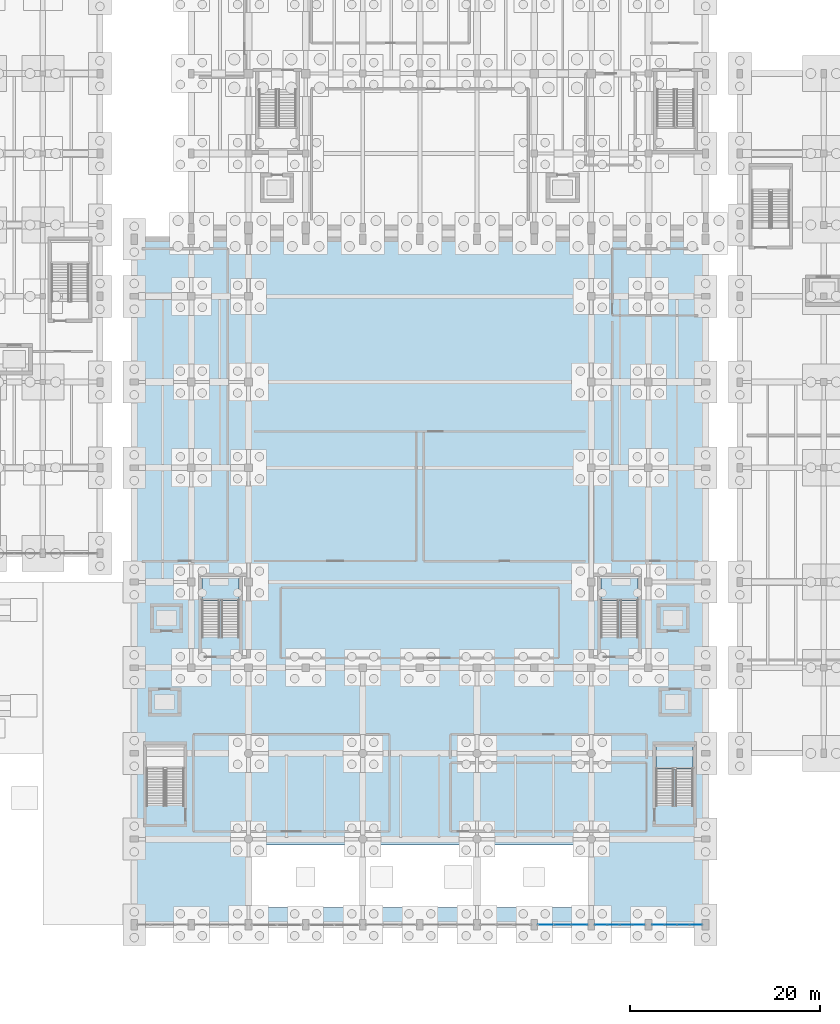
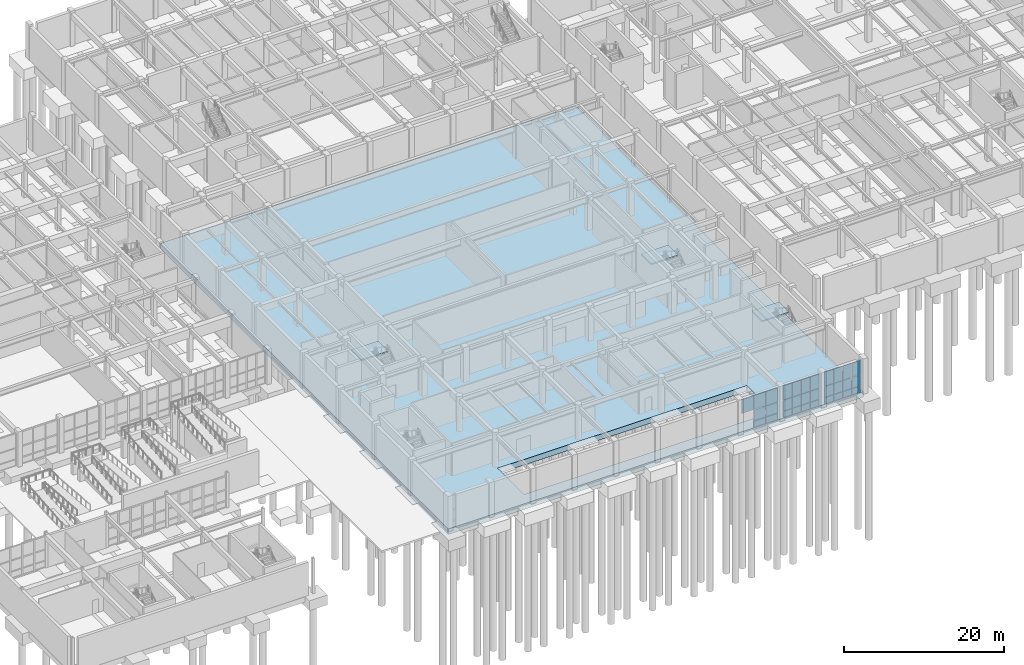
# One storey, part 45 of 69: 31 plates, 4 slabs, 6 elements without a shape of their own.
"""IFC4 building model written with IfcOpenShell, lengths in metres."""

import ifcopenshell
import ifcopenshell.guid

model = None  # the IFC model being written
_history = None  # IfcOwnerHistory: only IFC2X3 demands one
_inside = {}  # id of a spatial element -> (the spatial element, [elements in it])
_under = {}  # id of a project, library or spatial element -> (it, [spatial elements below it])
_declared = {}  # id of a project -> (the project, [libraries it declares])
_typed = {}  # id of a type object -> (the type object, [elements of that type])
_made_of = {}  # id of a material, layer set ... -> (it, [elements and type objects made of it])


def new_model(schema):
    """Start an empty IFC model of exactly this schema.

    Asked for "IFC4X3", IfcOpenShell would pick the latest addendum, in which some entities
    have other attributes; the version numbers below select the first issue.
    IFC2X3 requires an IfcOwnerHistory on every rooted entity: one is made here for all.
    """
    global model, _history
    if schema == "IFC4X3":
        model = ifcopenshell.file(schema_version=(4, 3, 0, 0))
    else:
        model = ifcopenshell.file(schema=schema)
    _inside.clear()
    _under.clear()
    _declared.clear()
    _typed.clear()
    _made_of.clear()
    _history = None
    if model.schema == "IFC2X3":
        org = make("IfcOrganization", Name="unknown")
        user = make(
            "IfcPersonAndOrganization",
            ThePerson=make("IfcPerson", FamilyName="unknown"),
            TheOrganization=org,
        )
        app = make(
            "IfcApplication",
            ApplicationDeveloper=org,
            Version="unknown",
            ApplicationFullName="unknown",
            ApplicationIdentifier="unknown",
        )
        _history = make(
            "IfcOwnerHistory",
            OwningUser=user,
            OwningApplication=app,
            ChangeAction="ADDED",
            CreationDate=0,
        )
    return model


def make(cls, **values):
    """One entity of the class cls with the attributes given. An attribute that is None is left unset."""
    return model.create_entity(
        cls, **{name: value for name, value in values.items() if value is not None}
    )


def rooted(cls, **values):
    """An entity with a GlobalId (a new one), such as an element, a storey or a relation."""
    return make(cls, GlobalId=ifcopenshell.guid.new(), OwnerHistory=_history, **values)


def si_unit(unit_type, name, prefix=None):
    """IfcSIUnit, for example si_unit("LENGTHUNIT", "METRE", prefix="MILLI")."""
    return make("IfcSIUnit", UnitType=unit_type, Prefix=prefix, Name=name)


def assignment(units):
    """IfcUnitAssignment: the units of a project."""
    return None if units is None else make("IfcUnitAssignment", Units=units)


def point(xyz):
    """IfcCartesianPoint."""
    return None if xyz is None else make("IfcCartesianPoint", Coordinates=xyz)


def direction(xyz):
    """IfcDirection."""
    return None if xyz is None else make("IfcDirection", DirectionRatios=xyz)


def frame(location, z_axis=None, x_axis=None):
    """IfcAxis2Placement3D, a coordinate frame: its origin and axes. An axis left out is left unset."""
    return make(
        "IfcAxis2Placement3D",
        Location=point(location),
        Axis=direction(z_axis),
        RefDirection=direction(x_axis),
    )


def frame_2d(location, x_axis=None):
    """IfcAxis2Placement2D, a coordinate frame in the plane: its origin and x axis."""
    return make(
        "IfcAxis2Placement2D", Location=point(location), RefDirection=direction(x_axis)
    )


def origin():
    """The frame at (0, 0, 0) with its axes left unset."""
    return frame((0.0, 0.0, 0.0))


def origin_2d():
    """The frame at (0, 0) in the plane with its x axis left unset."""
    return frame_2d((0.0, 0.0))


def place(relative_to, where):
    """IfcLocalPlacement: puts the frame where relative to a parent placement (None: the world)."""
    return make(
        "IfcLocalPlacement", PlacementRelTo=relative_to, RelativePlacement=where
    )


def context(
    kind, dimensions, precision=None, world=None, true_north=None, identifier=None
):
    """IfcGeometricRepresentationContext, for example the 3D "Model" context."""
    return make(
        "IfcGeometricRepresentationContext",
        ContextIdentifier=identifier,
        ContextType=kind,
        CoordinateSpaceDimension=dimensions,
        Precision=precision,
        WorldCoordinateSystem=world,
        TrueNorth=true_north,
    )


def subcontext(parent, identifier, kind, view, scale=None):
    """IfcGeometricRepresentationSubContext, for example "Body" below "Model"."""
    return make(
        "IfcGeometricRepresentationSubContext",
        ContextIdentifier=identifier,
        ContextType=kind,
        ParentContext=parent,
        TargetScale=scale,
        TargetView=view,
    )


def project(units=None, contexts=None):
    """IfcProject with its units and contexts."""
    return rooted(
        "IfcProject",
        Name="project",
        RepresentationContexts=contexts,
        UnitsInContext=assignment(units),
    )


def spatial(cls, under=None, at=None, **own):
    """A site, building, storey or space (cls), placed at a placement, below another one or the project."""
    s = rooted(cls, ObjectPlacement=at, **own)
    if under is not None:
        _under.setdefault(under.id(), (under, []))[1].append(s)
    return s


def polyline(points):
    """IfcPolyline through the points."""
    return make("IfcPolyline", Points=[point(p) for p in points])


def profile(cls, at=None, kind="AREA", **sizes):
    """A parametric profile (cls). Its sizes go by their IFC names, for example OverallWidth=200.0."""
    return make(cls, ProfileType=kind, Position=at, **sizes)


def rectangle(**sizes):
    """IfcRectangleProfileDef."""
    return profile("IfcRectangleProfileDef", **sizes)


def outline(outer, holes=None, kind="AREA"):
    """IfcArbitraryClosedProfileDef: a profile drawn as a closed curve; with holes, ...WithVoids."""
    if holes is None:
        return make("IfcArbitraryClosedProfileDef", ProfileType=kind, OuterCurve=outer)
    return make(
        "IfcArbitraryProfileDefWithVoids",
        ProfileType=kind,
        OuterCurve=outer,
        InnerCurves=holes,
    )


def extrude(swept, where, along, depth):
    """IfcExtrudedAreaSolid: the profile swept, set in the frame where, extruded along a direction by depth."""
    return make(
        "IfcExtrudedAreaSolid",
        SweptArea=swept,
        Position=where,
        ExtrudedDirection=direction(along),
        Depth=depth,
    )


def shape(context_of_items, identifier, shape_type, items):
    """IfcShapeRepresentation: the items that make up one representation, for example the "Body"."""
    return make(
        "IfcShapeRepresentation",
        ContextOfItems=context_of_items,
        RepresentationIdentifier=identifier,
        RepresentationType=shape_type,
        Items=items,
    )


def material(Name=None, Category=None):
    """IfcMaterial."""
    return make("IfcMaterial", Name=Name, Category=Category)


def layer(
    of_material, thickness, ventilated=None, Name=None, Category=None, Priority=None
):
    """IfcMaterialLayer: one layer of a wall or slab, of a material (None: an air gap)."""
    return make(
        "IfcMaterialLayer",
        Material=of_material,
        LayerThickness=thickness,
        IsVentilated=ventilated,
        Name=Name,
        Category=Category,
        Priority=Priority,
    )


def layer_set(layers, Name=None):
    """IfcMaterialLayerSet."""
    return make("IfcMaterialLayerSet", MaterialLayers=layers, LayerSetName=Name)


def made_of(thing, what):
    """Note that an element or type object is made of a material, layer set ...; save() writes the relation."""
    if what is not None:
        _made_of.setdefault(what.id(), (what, []))[1].append(thing)
    return thing


def type_object(cls, material=None, **own):
    """A type object (cls), such as IfcWallType, which elements share."""
    return made_of(rooted(cls, **own), material)


def element(
    cls,
    number,
    at=None,
    inside=None,
    cuts=None,
    type_object=None,
    material=None,
    context=None,
    identifier="Body",
    shape_type=None,
    held_by="IfcProductDefinitionShape",
    body=None,
    shapes=None,
    **own,
):
    """One element of the class cls, such as IfcWall. Its Tag is "e" and its number.

    at: its placement. inside: the storey or other place that contains it. cuts: it is an
    opening in that element (IfcRelVoidsElement). A single representation is given by context,
    identifier, shape_type and body (its items); several are given by shapes. held_by: the class
    of the entity that holds the representations. save() writes the other relations.
    """
    e = rooted(cls, Tag="e%d" % number, ObjectPlacement=at, **own)
    if body is not None:
        shapes = [shape(context, identifier, shape_type, body)]
    if shapes is not None:
        e.Representation = make(held_by, Representations=shapes)
    if inside is not None:
        _inside.setdefault(inside.id(), (inside, []))[1].append(e)
    if cuts is not None:
        rooted(
            "IfcRelVoidsElement", RelatingBuildingElement=cuts, RelatedOpeningElement=e
        )
    if type_object is not None:
        _typed.setdefault(type_object.id(), (type_object, []))[1].append(e)
    return made_of(e, material)


def aggregate(whole, parts):
    """IfcRelAggregates: a whole, such as a stair, and the parts it consists of."""
    return rooted("IfcRelAggregates", RelatingObject=whole, RelatedObjects=parts)


def save(model, path):
    """Write the relations noted so far, then the file.

    IfcRelAggregates (storeys below a building ...), IfcRelContainedInSpatialStructure (elements
    in a storey), IfcRelDefinesByType, IfcRelAssociatesMaterial and IfcRelDeclares: one each for
    every whole, place, type object, material and project.
    """
    for whole, parts in _under.values():
        aggregate(whole, parts)
    for where, things in _inside.values():
        rooted(
            "IfcRelContainedInSpatialStructure",
            RelatedElements=things,
            RelatingStructure=where,
        )
    for kind, things in _typed.values():
        rooted("IfcRelDefinesByType", RelatedObjects=things, RelatingType=kind)
    for what, things in _made_of.values():
        rooted("IfcRelAssociatesMaterial", RelatedObjects=things, RelatingMaterial=what)
    for by, libraries in _declared.values():
        rooted("IfcRelDeclares", RelatingContext=by, RelatedDefinitions=libraries)
    model.write(path)


model = new_model("IFC4")

# Units and contexts
model_context = context("Model", 3, precision=1e-05, world=origin(), true_north=direction((0.0, 1.0)))
body_context = subcontext(model_context, "Body", "Model", "MODEL_VIEW")
ifc_project = project(units=[si_unit("LENGTHUNIT", "METRE"), si_unit("AREAUNIT", "SQUARE_METRE"), si_unit("VOLUMEUNIT", "CUBIC_METRE"), si_unit("PLANEANGLEUNIT", "RADIAN"), si_unit("MASSUNIT", "GRAM", prefix="KILO")], contexts=[model_context])

# Site, building, storey
site_placement = place(None, origin())
site = spatial("IfcSite", under=ifc_project, at=site_placement, CompositionType="ELEMENT")
building_placement = place(site_placement, origin())
building = spatial("IfcBuilding", under=site, at=building_placement, Name="Vaelkrest Opera House", CompositionType="ELEMENT")
storey_placement = place(building_placement, frame((0.0, 0.0, -5.39990234375)))
storey = spatial("IfcBuildingStorey", under=building, at=storey_placement, Name="B1", CompositionType="ELEMENT", Elevation=-5.39990234375)

# Slab
ifc_material_1 = material(Name="Concrete C40/50", Category="concrete")
ifc_layer_1 = layer(ifc_material_1, 0.860107421875)
ifc_layer_set_1 = layer_set([ifc_layer_1], Name="Concrete C40/50")
slab_type_1 = type_object("IfcSlabType", Name="BS04", PredefinedType="BASESLAB", material=ifc_layer_set_1)
slab_1_placement = place(storey_placement, frame((0.0, 0.0, -0.860107421875)))
element("IfcSlab", 1, at=slab_1_placement, inside=storey, type_object=slab_type_1, Name="Floor slab SLB-V1-B1-001", PredefinedType="BASESLAB", context=body_context, shape_type="SweptSolid", body=[
    extrude(outline(polyline([(-30.0, -55.800048828125), (30.0, -55.800048828125), (30.0, 16.199951171875), (-30.0, 16.199951171875), (-30.0, -55.800048828125)]), holes=[polyline([(-18.0, -54.0), (18.0, -54.0), (18.0, -47.39990234375), (-18.0, -47.39990234375), (-18.0, -54.0)])]), origin(), (0.0, 0.0, 1.0), 0.860107421875),
])

# Curtain wall, plates
ifc_material_2 = material(Name="Dark bronze anodized aluminium", Category="aluminium")
ifc_layer_2 = layer(ifc_material_2, 0.179931640625)
ifc_layer_set_2 = layer_set([ifc_layer_2], Name="Dark bronze anodized aluminium")
curtain_wall_type_1 = type_object("IfcCurtainWallType", Name="CW01", PredefinedType="NOTDEFINED", material=ifc_layer_set_2)
curtain_wall_1_placement = place(storey_placement, origin())
curtain_wall_1 = element("IfcCurtainWall", 2, at=curtain_wall_1_placement, inside=storey, type_object=curtain_wall_type_1, Name="Curtain wall CW-B1-001", PredefinedType="NOTDEFINED")
ifc_material_3 = material(Name="Double low-E insulated glazing", Category="glass")
ifc_layer_3 = layer(ifc_material_3, 0.02587890625)
ifc_layer_set_3 = layer_set([ifc_layer_3], Name="Double low-E insulated glazing")
plate_type_1 = type_object("IfcPlateType", Name="CWP01", PredefinedType="CURTAIN_PANEL", material=ifc_layer_set_3)
plate_1_placement = place(storey_placement, frame((28.97265625, -55.800048828125, 0.06494140625), z_axis=(0.0, 0.0, 1.0), x_axis=(-1.0, 0.0, 0.0)))
plate_1 = element("IfcPlate", 3, at=plate_1_placement, type_object=plate_type_1, Name="CW01 panel 1.1", PredefinedType="CURTAIN_PANEL", context=body_context, shape_type="SweptSolid", body=[
    extrude(rectangle(XDim=1.228515625, YDim=0.02587890625, at=origin_2d()), origin(), (0.0, 0.0, 1.0), 0.952392578125),
])
plate_2_placement = place(storey_placement, frame((28.97265625, -55.800048828125, 1.08251953125), z_axis=(0.0, 0.0, 1.0), x_axis=(-1.0, 0.0, 0.0)))
plate_2 = element("IfcPlate", 4, at=plate_2_placement, type_object=plate_type_1, Name="CW01 panel 1.2", PredefinedType="CURTAIN_PANEL", context=body_context, shape_type="SweptSolid", body=[
    extrude(rectangle(XDim=1.228515625, YDim=0.02587890625, at=origin_2d()), origin(), (0.0, 0.0, 1.0), 1.635009765625),
])
plate_3_placement = place(storey_placement, frame((28.97265625, -55.800048828125, 2.7822265625), z_axis=(0.0, 0.0, 1.0), x_axis=(-1.0, 0.0, 0.0)))
plate_3 = element("IfcPlate", 5, at=plate_3_placement, type_object=plate_type_1, Name="CW01 panel 1.3", PredefinedType="CURTAIN_PANEL", context=body_context, shape_type="SweptSolid", body=[
    extrude(rectangle(XDim=1.228515625, YDim=0.02587890625, at=origin_2d()), origin(), (0.0, 0.0, 1.0), 2.202392578125),
])
plate_4_placement = place(storey_placement, frame((27.6630859375, -55.800048828125, 0.06494140625), z_axis=(0.0, 0.0, 1.0), x_axis=(-1.0, 0.0, 0.0)))
plate_4 = element("IfcPlate", 6, at=plate_4_placement, type_object=plate_type_1, Name="CW01 panel 2.1", PredefinedType="CURTAIN_PANEL", context=body_context, shape_type="SweptSolid", body=[
    extrude(rectangle(XDim=1.260986328125, YDim=0.02587890625, at=origin_2d()), origin(), (0.0, 0.0, 1.0), 0.952392578125),
])
plate_5_placement = place(storey_placement, frame((27.6630859375, -55.800048828125, 1.08251953125), z_axis=(0.0, 0.0, 1.0), x_axis=(-1.0, 0.0, 0.0)))
plate_5 = element("IfcPlate", 7, at=plate_5_placement, type_object=plate_type_1, Name="CW01 panel 2.2", PredefinedType="CURTAIN_PANEL", context=body_context, shape_type="SweptSolid", body=[
    extrude(rectangle(XDim=1.260986328125, YDim=0.02587890625, at=origin_2d()), origin(), (0.0, 0.0, 1.0), 1.635009765625),
])
plate_6_placement = place(storey_placement, frame((27.6630859375, -55.800048828125, 2.7822265625), z_axis=(0.0, 0.0, 1.0), x_axis=(-1.0, 0.0, 0.0)))
plate_6 = element("IfcPlate", 8, at=plate_6_placement, type_object=plate_type_1, Name="CW01 panel 2.3", PredefinedType="CURTAIN_PANEL", context=body_context, shape_type="SweptSolid", body=[
    extrude(rectangle(XDim=1.260986328125, YDim=0.02587890625, at=origin_2d()), origin(), (0.0, 0.0, 1.0), 2.202392578125),
])
plate_7_placement = place(storey_placement, frame((26.3369140625, -55.800048828125, 0.06494140625), z_axis=(0.0, 0.0, 1.0), x_axis=(-1.0, 0.0, 0.0)))
plate_7 = element("IfcPlate", 9, at=plate_7_placement, type_object=plate_type_1, Name="CW01 panel 3.1", PredefinedType="CURTAIN_PANEL", context=body_context, shape_type="SweptSolid", body=[
    extrude(rectangle(XDim=1.260986328125, YDim=0.02587890625, at=origin_2d()), origin(), (0.0, 0.0, 1.0), 0.952392578125),
])
plate_8_placement = place(storey_placement, frame((26.3369140625, -55.800048828125, 1.08251953125), z_axis=(0.0, 0.0, 1.0), x_axis=(-1.0, 0.0, 0.0)))
plate_8 = element("IfcPlate", 10, at=plate_8_placement, type_object=plate_type_1, Name="CW01 panel 3.2", PredefinedType="CURTAIN_PANEL", context=body_context, shape_type="SweptSolid", body=[
    extrude(rectangle(XDim=1.260986328125, YDim=0.02587890625, at=origin_2d()), origin(), (0.0, 0.0, 1.0), 1.635009765625),
])
plate_9_placement = place(storey_placement, frame((26.3369140625, -55.800048828125, 2.7822265625), z_axis=(0.0, 0.0, 1.0), x_axis=(-1.0, 0.0, 0.0)))
plate_9 = element("IfcPlate", 11, at=plate_9_placement, type_object=plate_type_1, Name="CW01 panel 3.3", PredefinedType="CURTAIN_PANEL", context=body_context, shape_type="SweptSolid", body=[
    extrude(rectangle(XDim=1.260986328125, YDim=0.02587890625, at=origin_2d()), origin(), (0.0, 0.0, 1.0), 2.202392578125),
])
plate_10_placement = place(storey_placement, frame((25.02734375, -55.800048828125, 0.06494140625), z_axis=(0.0, 0.0, 1.0), x_axis=(-1.0, 0.0, 0.0)))
plate_10 = element("IfcPlate", 12, at=plate_10_placement, type_object=plate_type_1, Name="CW01 panel 4.1", PredefinedType="CURTAIN_PANEL", context=body_context, shape_type="SweptSolid", body=[
    extrude(rectangle(XDim=1.228515625, YDim=0.02587890625, at=origin_2d()), origin(), (0.0, 0.0, 1.0), 0.952392578125),
])
plate_11_placement = place(storey_placement, frame((25.02734375, -55.800048828125, 1.08251953125), z_axis=(0.0, 0.0, 1.0), x_axis=(-1.0, 0.0, 0.0)))
plate_11 = element("IfcPlate", 13, at=plate_11_placement, type_object=plate_type_1, Name="CW01 panel 4.2", PredefinedType="CURTAIN_PANEL", context=body_context, shape_type="SweptSolid", body=[
    extrude(rectangle(XDim=1.228515625, YDim=0.02587890625, at=origin_2d()), origin(), (0.0, 0.0, 1.0), 1.635009765625),
])
plate_12_placement = place(storey_placement, frame((25.02734375, -55.800048828125, 2.7822265625), z_axis=(0.0, 0.0, 1.0), x_axis=(-1.0, 0.0, 0.0)))
plate_12 = element("IfcPlate", 14, at=plate_12_placement, type_object=plate_type_1, Name="CW01 panel 4.3", PredefinedType="CURTAIN_PANEL", context=body_context, shape_type="SweptSolid", body=[
    extrude(rectangle(XDim=1.228515625, YDim=0.02587890625, at=origin_2d()), origin(), (0.0, 0.0, 1.0), 2.202392578125),
])
aggregate(curtain_wall_1, [plate_1, plate_2, plate_3, plate_4, plate_5, plate_6, plate_7, plate_8, plate_9, plate_10, plate_11, plate_12])

ifc_layer_4 = layer(ifc_material_2, 0.18994140625)
ifc_layer_set_4 = layer_set([ifc_layer_4], Name="Dark bronze anodized aluminium")
curtain_wall_type_2 = type_object("IfcCurtainWallType", Name="CW02", PredefinedType="NOTDEFINED", material=ifc_layer_set_4)
curtain_wall_2_placement = place(storey_placement, origin())
curtain_wall_2 = element("IfcCurtainWall", 15, at=curtain_wall_2_placement, inside=storey, type_object=curtain_wall_type_2, Name="Curtain wall CW-B1-002", PredefinedType="NOTDEFINED")
ifc_layer_5 = layer(ifc_material_3, 0.030029296875)
ifc_layer_set_5 = layer_set([ifc_layer_5], Name="Double low-E insulated glazing")
plate_type_2 = type_object("IfcPlateType", Name="CWP02", PredefinedType="CURTAIN_PANEL", material=ifc_layer_set_5)
plate_13_placement = place(storey_placement, frame((22.971435546875, -55.800048828125, 0.06982421875), z_axis=(0.0, 0.0, 1.0), x_axis=(-1.0, 0.0, 0.0)))
plate_13 = element("IfcPlate", 16, at=plate_13_placement, type_object=plate_type_2, Name="CW02 panel 1.1", PredefinedType="CURTAIN_PANEL", context=body_context, shape_type="SweptSolid", body=[
    extrude(rectangle(XDim=1.220947265625, YDim=0.030029296875, at=origin_2d()), origin(), (0.0, 0.0, 1.0), 0.945068359375),
])
plate_14_placement = place(storey_placement, frame((22.971435546875, -55.800048828125, 1.0849609375), z_axis=(0.0, 0.0, 1.0), x_axis=(-1.0, 0.0, 0.0)))
plate_14 = element("IfcPlate", 17, at=plate_14_placement, type_object=plate_type_2, Name="CW02 panel 1.2", PredefinedType="CURTAIN_PANEL", context=body_context, shape_type="SweptSolid", body=[
    extrude(rectangle(XDim=1.220947265625, YDim=0.030029296875, at=origin_2d()), origin(), (0.0, 0.0, 1.0), 1.6298828125),
])
plate_15_placement = place(storey_placement, frame((22.971435546875, -55.800048828125, 2.78466796875), z_axis=(0.0, 0.0, 1.0), x_axis=(-1.0, 0.0, 0.0)))
plate_15 = element("IfcPlate", 18, at=plate_15_placement, type_object=plate_type_2, Name="CW02 panel 1.3", PredefinedType="CURTAIN_PANEL", context=body_context, shape_type="SweptSolid", body=[
    extrude(rectangle(XDim=1.220947265625, YDim=0.030029296875, at=origin_2d()), origin(), (0.0, 0.0, 1.0), 2.195068359375),
])
plate_16_placement = place(storey_placement, frame((21.6630859375, -55.800048828125, 0.06982421875), z_axis=(0.0, 0.0, 1.0), x_axis=(-1.0, 0.0, 0.0)))
plate_16 = element("IfcPlate", 19, at=plate_16_placement, type_object=plate_type_2, Name="CW02 panel 2.1", PredefinedType="CURTAIN_PANEL", context=body_context, shape_type="SweptSolid", body=[
    extrude(rectangle(XDim=1.256103515625, YDim=0.030029296875, at=origin_2d()), origin(), (0.0, 0.0, 1.0), 0.945068359375),
])
plate_17_placement = place(storey_placement, frame((21.6630859375, -55.800048828125, 1.0849609375), z_axis=(0.0, 0.0, 1.0), x_axis=(-1.0, 0.0, 0.0)))
plate_17 = element("IfcPlate", 20, at=plate_17_placement, type_object=plate_type_2, Name="CW02 panel 2.2", PredefinedType="CURTAIN_PANEL", context=body_context, shape_type="SweptSolid", body=[
    extrude(rectangle(XDim=1.256103515625, YDim=0.030029296875, at=origin_2d()), origin(), (0.0, 0.0, 1.0), 1.6298828125),
])
plate_18_placement = place(storey_placement, frame((21.6630859375, -55.800048828125, 2.78466796875), z_axis=(0.0, 0.0, 1.0), x_axis=(-1.0, 0.0, 0.0)))
plate_18 = element("IfcPlate", 21, at=plate_18_placement, type_object=plate_type_2, Name="CW02 panel 2.3", PredefinedType="CURTAIN_PANEL", context=body_context, shape_type="SweptSolid", body=[
    extrude(rectangle(XDim=1.256103515625, YDim=0.030029296875, at=origin_2d()), origin(), (0.0, 0.0, 1.0), 2.195068359375),
])
plate_19_placement = place(storey_placement, frame((20.3369140625, -55.800048828125, 0.06982421875), z_axis=(0.0, 0.0, 1.0), x_axis=(-1.0, 0.0, 0.0)))
plate_19 = element("IfcPlate", 22, at=plate_19_placement, type_object=plate_type_2, Name="CW02 panel 3.1", PredefinedType="CURTAIN_PANEL", context=body_context, shape_type="SweptSolid", body=[
    extrude(rectangle(XDim=1.256103515625, YDim=0.030029296875, at=origin_2d()), origin(), (0.0, 0.0, 1.0), 0.945068359375),
])
plate_20_placement = place(storey_placement, frame((20.3369140625, -55.800048828125, 1.0849609375), z_axis=(0.0, 0.0, 1.0), x_axis=(-1.0, 0.0, 0.0)))
plate_20 = element("IfcPlate", 23, at=plate_20_placement, type_object=plate_type_2, Name="CW02 panel 3.2", PredefinedType="CURTAIN_PANEL", context=body_context, shape_type="SweptSolid", body=[
    extrude(rectangle(XDim=1.256103515625, YDim=0.030029296875, at=origin_2d()), origin(), (0.0, 0.0, 1.0), 1.6298828125),
])
plate_21_placement = place(storey_placement, frame((20.3369140625, -55.800048828125, 2.78466796875), z_axis=(0.0, 0.0, 1.0), x_axis=(-1.0, 0.0, 0.0)))
plate_21 = element("IfcPlate", 24, at=plate_21_placement, type_object=plate_type_2, Name="CW02 panel 3.3", PredefinedType="CURTAIN_PANEL", context=body_context, shape_type="SweptSolid", body=[
    extrude(rectangle(XDim=1.256103515625, YDim=0.030029296875, at=origin_2d()), origin(), (0.0, 0.0, 1.0), 2.195068359375),
])
plate_22_placement = place(storey_placement, frame((19.028564453125, -55.800048828125, 0.06982421875), z_axis=(0.0, 0.0, 1.0), x_axis=(-1.0, 0.0, 0.0)))
plate_22 = element("IfcPlate", 25, at=plate_22_placement, type_object=plate_type_2, Name="CW02 panel 4.1", PredefinedType="CURTAIN_PANEL", context=body_context, shape_type="SweptSolid", body=[
    extrude(rectangle(XDim=1.220947265625, YDim=0.030029296875, at=origin_2d()), origin(), (0.0, 0.0, 1.0), 0.945068359375),
])
plate_23_placement = place(storey_placement, frame((19.028564453125, -55.800048828125, 1.0849609375), z_axis=(0.0, 0.0, 1.0), x_axis=(-1.0, 0.0, 0.0)))
plate_23 = element("IfcPlate", 26, at=plate_23_placement, type_object=plate_type_2, Name="CW02 panel 4.2", PredefinedType="CURTAIN_PANEL", context=body_context, shape_type="SweptSolid", body=[
    extrude(rectangle(XDim=1.220947265625, YDim=0.030029296875, at=origin_2d()), origin(), (0.0, 0.0, 1.0), 1.6298828125),
])
plate_24_placement = place(storey_placement, frame((19.028564453125, -55.800048828125, 2.78466796875), z_axis=(0.0, 0.0, 1.0), x_axis=(-1.0, 0.0, 0.0)))
plate_24 = element("IfcPlate", 27, at=plate_24_placement, type_object=plate_type_2, Name="CW02 panel 4.3", PredefinedType="CURTAIN_PANEL", context=body_context, shape_type="SweptSolid", body=[
    extrude(rectangle(XDim=1.220947265625, YDim=0.030029296875, at=origin_2d()), origin(), (0.0, 0.0, 1.0), 2.195068359375),
])
aggregate(curtain_wall_2, [plate_13, plate_14, plate_15, plate_16, plate_17, plate_18, plate_19, plate_20, plate_21, plate_22, plate_23, plate_24])

ifc_layer_6 = layer(ifc_material_2, 0.199951171875)
ifc_layer_set_6 = layer_set([ifc_layer_6], Name="Dark bronze anodized aluminium")
curtain_wall_type_3 = type_object("IfcCurtainWallType", Name="CW03", PredefinedType="NOTDEFINED", material=ifc_layer_set_6)
curtain_wall_3_placement = place(storey_placement, origin())
curtain_wall_3 = element("IfcCurtainWall", 28, at=curtain_wall_3_placement, inside=storey, type_object=curtain_wall_type_3, Name="Curtain wall CW-B1-003", PredefinedType="NOTDEFINED")
ifc_layer_7 = layer(ifc_material_3, 0.033935546875)
ifc_layer_set_7 = layer_set([ifc_layer_7], Name="Double low-E insulated glazing")
plate_type_3 = type_object("IfcPlateType", Name="CWP03", PredefinedType="CURTAIN_PANEL", material=ifc_layer_set_7)
plate_25_placement = place(storey_placement, frame((16.749267578125, -55.800048828125, 0.074951171875), z_axis=(0.0, 0.0, 1.0), x_axis=(-1.0, 0.0, 0.0)))
plate_25 = element("IfcPlate", 29, at=plate_25_placement, type_object=plate_type_3, Name="CW03 panel 1.1", PredefinedType="CURTAIN_PANEL", context=body_context, shape_type="SweptSolid", body=[
    extrude(rectangle(XDim=1.655517578125, YDim=0.033935546875, at=origin_2d()), origin(), (0.0, 0.0, 1.0), 0.9375),
])
plate_26_placement = place(storey_placement, frame((16.749267578125, -55.800048828125, 1.08740234375), z_axis=(0.0, 0.0, 1.0), x_axis=(-1.0, 0.0, 0.0)))
plate_26 = element("IfcPlate", 30, at=plate_26_placement, type_object=plate_type_3, Name="CW03 panel 1.2", PredefinedType="CURTAIN_PANEL", context=body_context, shape_type="SweptSolid", body=[
    extrude(rectangle(XDim=1.655517578125, YDim=0.033935546875, at=origin_2d()), origin(), (0.0, 0.0, 1.0), 1.625),
])
plate_27_placement = place(storey_placement, frame((16.749267578125, -55.800048828125, 2.787353515625), z_axis=(0.0, 0.0, 1.0), x_axis=(-1.0, 0.0, 0.0)))
plate_27 = element("IfcPlate", 31, at=plate_27_placement, type_object=plate_type_3, Name="CW03 panel 1.3", PredefinedType="CURTAIN_PANEL", context=body_context, shape_type="SweptSolid", body=[
    extrude(rectangle(XDim=1.655517578125, YDim=0.033935546875, at=origin_2d()), origin(), (0.0, 0.0, 1.0), 2.1875),
])
plate_28_placement = place(storey_placement, frame((15.0, -55.800048828125, 0.074951171875), z_axis=(0.0, 0.0, 1.0), x_axis=(-1.0, 0.0, 0.0)))
plate_28 = element("IfcPlate", 32, at=plate_28_placement, type_object=plate_type_3, Name="CW03 panel 2.1", PredefinedType="CURTAIN_PANEL", context=body_context, shape_type="SweptSolid", body=[
    extrude(rectangle(XDim=1.693115234375, YDim=0.033935546875, at=origin_2d()), origin(), (0.0, 0.0, 1.0), 0.9375),
])
plate_29_placement = place(storey_placement, frame((15.0, -55.800048828125, 1.08740234375), z_axis=(0.0, 0.0, 1.0), x_axis=(-1.0, 0.0, 0.0)))
plate_29 = element("IfcPlate", 33, at=plate_29_placement, type_object=plate_type_3, Name="CW03 panel 2.2", PredefinedType="CURTAIN_PANEL", context=body_context, shape_type="SweptSolid", body=[
    extrude(rectangle(XDim=1.693115234375, YDim=0.033935546875, at=origin_2d()), origin(), (0.0, 0.0, 1.0), 1.625),
])
plate_30_placement = place(storey_placement, frame((15.0, -55.800048828125, 2.787353515625), z_axis=(0.0, 0.0, 1.0), x_axis=(-1.0, 0.0, 0.0)))
plate_30 = element("IfcPlate", 34, at=plate_30_placement, type_object=plate_type_3, Name="CW03 panel 2.3", PredefinedType="CURTAIN_PANEL", context=body_context, shape_type="SweptSolid", body=[
    extrude(rectangle(XDim=1.693115234375, YDim=0.033935546875, at=origin_2d()), origin(), (0.0, 0.0, 1.0), 2.1875),
])
plate_31_placement = place(storey_placement, frame((13.250732421875, -55.800048828125, 2.787353515625), z_axis=(0.0, 0.0, 1.0), x_axis=(-1.0, 0.0, 0.0)))
plate_31 = element("IfcPlate", 35, at=plate_31_placement, type_object=plate_type_3, Name="CW03 panel 3.3", PredefinedType="CURTAIN_PANEL", context=body_context, shape_type="SweptSolid", body=[
    extrude(rectangle(XDim=1.655517578125, YDim=0.033935546875, at=origin_2d()), origin(), (0.0, 0.0, 1.0), 2.1875),
])
aggregate(curtain_wall_3, [plate_25, plate_26, plate_27, plate_28, plate_29, plate_30, plate_31])

# Stair, slab
stair_type_1 = type_object("IfcStairType", Name="ST01", PredefinedType="TWO_STRAIGHT_RUN_STAIR", material=ifc_material_1)
stair_1_placement = place(storey_placement, origin())
stair_1 = element("IfcStair", 36, at=stair_1_placement, inside=storey, type_object=stair_type_1, Name="B1 Protected exit stair ST01", PredefinedType="TWO_STRAIGHT_RUN_STAIR")
ifc_layer_8 = layer(ifc_material_1, 0.199951171875)
ifc_layer_set_8 = layer_set([ifc_layer_8], Name="Concrete C40/50")
slab_type_2 = type_object("IfcSlabType", Name="SLD01", PredefinedType="LANDING", material=ifc_layer_set_8)
slab_2_placement = place(storey_placement, frame((0.0, 0.0, 2.5)))
slab_2 = element("IfcSlab", 37, at=slab_2_placement, type_object=slab_type_2, Name="ST01 landing 1", PredefinedType="LANDING", context=body_context, shape_type="SweptSolid", body=[
    extrude(outline(polyline([(-19.0, -21.72998046875), (-19.0, -19.199951171875), (-22.89990234375, -19.199951171875), (-22.89990234375, -21.72998046875), (-19.0, -21.72998046875)])), origin(), (0.0, 0.0, 1.0), 0.199951171875),
])
aggregate(stair_1, [slab_2])

stair_type_2 = type_object("IfcStairType", Name="ST02", PredefinedType="TWO_STRAIGHT_RUN_STAIR", material=ifc_material_1)
stair_2_placement = place(storey_placement, origin())
stair_2 = element("IfcStair", 38, at=stair_2_placement, inside=storey, type_object=stair_type_2, Name="B1 Protected exit stair ST02", PredefinedType="TWO_STRAIGHT_RUN_STAIR")
slab_3_placement = place(storey_placement, frame((0.0, 0.0, 2.5)))
slab_3 = element("IfcSlab", 39, at=slab_3_placement, type_object=slab_type_2, Name="ST02 landing 1", PredefinedType="LANDING", context=body_context, shape_type="SweptSolid", body=[
    extrude(outline(polyline([(22.89990234375, -21.72998046875), (22.89990234375, -19.199951171875), (19.0, -19.199951171875), (19.0, -21.72998046875), (22.89990234375, -21.72998046875)])), origin(), (0.0, 0.0, 1.0), 0.199951171875),
])
aggregate(stair_2, [slab_3])

stair_type_3 = type_object("IfcStairType", Name="ST04", PredefinedType="TWO_STRAIGHT_RUN_STAIR", material=ifc_material_1)
stair_3_placement = place(storey_placement, origin())
stair_3 = element("IfcStair", 40, at=stair_3_placement, inside=storey, type_object=stair_type_3, Name="B1 Protected exit stair ST04", PredefinedType="TWO_STRAIGHT_RUN_STAIR")
slab_4_placement = place(storey_placement, frame((0.0, 0.0, 2.5)))
slab_4 = element("IfcSlab", 41, at=slab_4_placement, type_object=slab_type_2, Name="ST04 landing 1", PredefinedType="LANDING", context=body_context, shape_type="SweptSolid", body=[
    extrude(outline(polyline([(28.699951171875, -39.429931640625), (28.699951171875, -36.89990234375), (24.800048828125, -36.89990234375), (24.800048828125, -39.429931640625), (28.699951171875, -39.429931640625)])), origin(), (0.0, 0.0, 1.0), 0.199951171875),
])
aggregate(stair_3, [slab_4])

save(model, "model.ifc")
